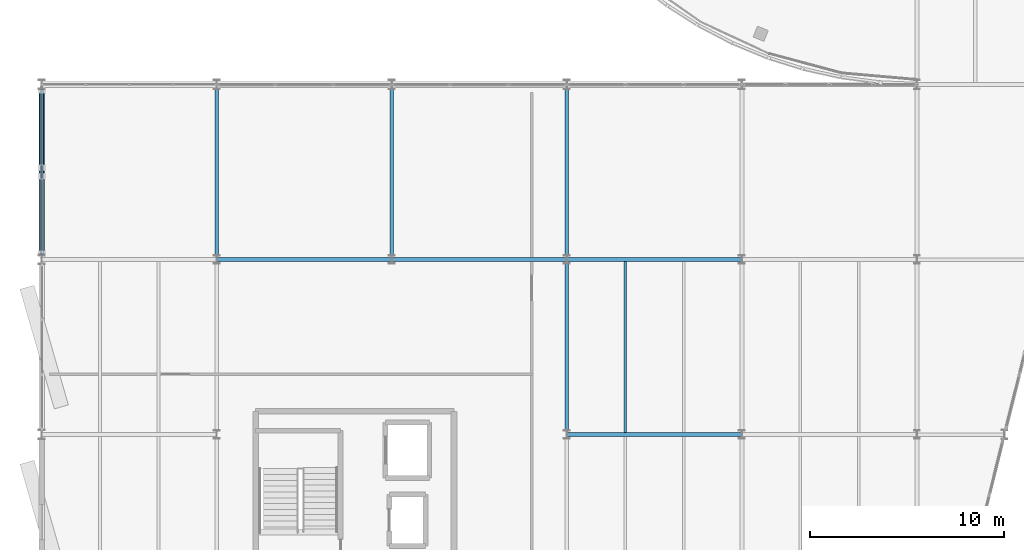
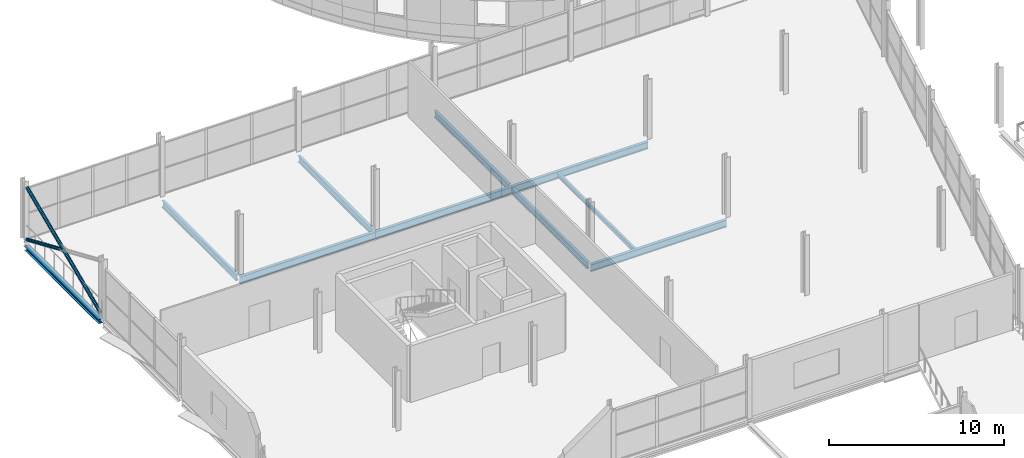
# One storey, part 61 of 135: 10 beams, 2 members.
"""IFC4 building model written with IfcOpenShell, lengths in metres."""

from ifc_helpers import new_model, si_unit, direction, frame, origin, origin_2d, place, context, subcontext, project, spatial, hollow_circle, i_section, extrude, material, material_profile, profile_set, type_object, element, save


model = new_model("IFC4")

# Units and contexts
model_context = context("Model", 3, precision=1e-05, world=origin(), true_north=direction((0.0, 1.0)))
body_context = subcontext(model_context, "Body", "Model", "MODEL_VIEW")
ifc_project = project(units=[si_unit("LENGTHUNIT", "METRE"), si_unit("AREAUNIT", "SQUARE_METRE"), si_unit("VOLUMEUNIT", "CUBIC_METRE"), si_unit("PLANEANGLEUNIT", "RADIAN"), si_unit("MASSUNIT", "GRAM", prefix="KILO")], contexts=[model_context])

# Site, building, storey
site_placement = place(None, origin())
site = spatial("IfcSite", under=ifc_project, at=site_placement, CompositionType="ELEMENT")
building_placement = place(site_placement, origin())
building = spatial("IfcBuilding", under=site, at=building_placement, Name="Deido Ridge Mobility Hub", CompositionType="ELEMENT")
storey_placement = place(building_placement, frame((0.0, 0.0, 4.199951171875)))
storey = spatial("IfcBuildingStorey", under=building, at=storey_placement, Name="L01", CompositionType="ELEMENT", Elevation=4.199951171875)

# Beams
ifc_material_1 = material(Name="Steel S355J2 EN 10025-2", Category="steel")
ifc_material_profile_1 = material_profile(ifc_material_1, i_section(OverallWidth=0.18994140625, OverallDepth=0.449951171875, WebThickness=0.009521484375, FlangeThickness=0.0146484375, FilletRadius=0.02099609375, at=origin_2d()), Name="IPE 450")
ifc_profile_set_1 = profile_set([ifc_material_profile_1], Name="Steel S355J2 EN 10025-2")
beam_type_1 = type_object("IfcBeamType", Name="BM-IPE450", PredefinedType="BEAM", material=ifc_profile_set_1)
for number, where, z_axis, x_axis, name in (
    (1, (9.0, 72.22509765625, -0.474853515625), (0.0, 1.0, 0.0), (-1.0, 0.0, 0.0), "Floor beam B4"),
    (2, (18.0, 72.22509765625, -0.474853515625), (0.0, 1.0, 0.0), (-1.0, 0.0, 0.0), "Floor beam B4"),
):
    element("IfcBeam", number, at=place(storey_placement, frame(where, z_axis=z_axis, x_axis=x_axis)), inside=storey, type_object=beam_type_1, Name=name, PredefinedType="BEAM", context=body_context, shape_type="SweptSolid", body=[
        extrude(i_section(OverallWidth=0.18994140625, OverallDepth=0.449951171875, WebThickness=0.009521484375, FlangeThickness=0.0146484375, FilletRadius=0.02099609375, at=origin_2d()), origin(), (0.0, 0.0, 1.0), 8.52490234375),
    ])
beam_1_placement = place(storey_placement, frame((27.0, 63.22509765625, -0.474853515625), z_axis=(0.0, 1.0, 0.0), x_axis=(-1.0, 0.0, 0.0)))
element("IfcBeam", 3, at=beam_1_placement, inside=storey, type_object=beam_type_1, Name="Floor beam B4", PredefinedType="BEAM", context=body_context, shape_type="SweptSolid", body=[
    extrude(i_section(OverallWidth=0.18994140625, OverallDepth=0.449951171875, WebThickness=0.009521484375, FlangeThickness=0.0146484375, FilletRadius=0.02099609375, at=origin_2d()), origin(), (0.0, 0.0, 1.0), 8.5498046875),
])
beam_2_placement = place(storey_placement, frame((27.0, 72.22509765625, -0.474853515625), z_axis=(0.0, 1.0, 0.0), x_axis=(-1.0, 0.0, 0.0)))
element("IfcBeam", 4, at=beam_2_placement, inside=storey, type_object=beam_type_1, Name="Floor beam B4", PredefinedType="BEAM", context=body_context, shape_type="SweptSolid", body=[
    extrude(i_section(OverallWidth=0.18994140625, OverallDepth=0.449951171875, WebThickness=0.009521484375, FlangeThickness=0.0146484375, FilletRadius=0.02099609375, at=origin_2d()), origin(), (0.0, 0.0, 1.0), 8.52490234375),
])
ifc_material_profile_2 = material_profile(ifc_material_1, i_section(OverallWidth=0.199951171875, OverallDepth=0.5, WebThickness=0.01025390625, FlangeThickness=0.01611328125, FilletRadius=0.02099609375, at=origin_2d()), Name="IPE 500")
ifc_profile_set_2 = profile_set([ifc_material_profile_2], Name="Steel S355J2 EN 10025-2")
beam_type_2 = type_object("IfcBeamType", Name="BM-IPE500", PredefinedType="BEAM", material=ifc_profile_set_2)
for number, where, z_axis, x_axis, name in (
    (5, (27.007080078125, 63.0, -0.5), (1.0, 0.0, 0.0), (0.0, 1.0, 0.0), "Floor beam B3"),
    (6, (9.007080078125, 72.0, -0.5), (1.0, 0.0, 0.0), (0.0, 1.0, 0.0), "Floor beam B3"),
    (7, (18.007080078125, 72.0, -0.5), (1.0, 0.0, 0.0), (0.0, 1.0, 0.0), "Floor beam B3"),
    (8, (27.007080078125, 72.0, -0.5), (1.0, 0.0, 0.0), (0.0, 1.0, 0.0), "Floor beam B3"),
):
    element("IfcBeam", number, at=place(storey_placement, frame(where, z_axis=z_axis, x_axis=x_axis)), inside=storey, type_object=beam_type_2, Name=name, PredefinedType="BEAM", context=body_context, shape_type="SweptSolid", body=[
        extrude(i_section(OverallWidth=0.199951171875, OverallDepth=0.5, WebThickness=0.01025390625, FlangeThickness=0.01611328125, FilletRadius=0.02099609375, at=origin_2d()), origin(), (0.0, 0.0, 1.0), 8.98583984375),
    ])
ifc_material_profile_3 = material_profile(ifc_material_1, i_section(OverallWidth=0.14990234375, OverallDepth=0.300048828125, WebThickness=0.007080078125, FlangeThickness=0.0107421875, FilletRadius=0.014892578125, at=origin_2d()), Name="IPE 300")
ifc_profile_set_3 = profile_set([ifc_material_profile_3], Name="Steel S355J2 EN 10025-2")
beam_type_3 = type_object("IfcBeamType", Name="JST-IPE300", PredefinedType="JOIST", material=ifc_profile_set_3)
beam_3_placement = place(storey_placement, frame((30.0, 63.10009765625, -0.39990234375), z_axis=(0.0, 1.0, 0.0), x_axis=(-1.0, 0.0, 0.0)))
element("IfcBeam", 9, at=beam_3_placement, inside=storey, type_object=beam_type_3, Name="Composite joist J3", PredefinedType="JOIST", context=body_context, shape_type="SweptSolid", body=[
    extrude(i_section(OverallWidth=0.14990234375, OverallDepth=0.300048828125, WebThickness=0.007080078125, FlangeThickness=0.0107421875, FilletRadius=0.014892578125, at=origin_2d()), origin(), (0.0, 0.0, 1.0), 8.7998046875),
])

# Members
ifc_material_2 = material(Name="Steel S355J2H EN 10210-1", Category="steel")
ifc_material_profile_4 = material_profile(ifc_material_2, hollow_circle(Radius=0.109619140625, WallThickness=0.010009765625, at=origin_2d()), Name="CHS 219.1x10")
ifc_profile_set_4 = profile_set([ifc_material_profile_4], Name="Steel S355J2H EN 10210-1")
member_type = type_object("IfcMemberType", Name="MEM-BRC-CHS219", PredefinedType="BRACE", material=ifc_profile_set_4)
member_1_placement = place(storey_placement, frame((0.0, 72.300048828125, 0.179931640625), z_axis=(0.0, 0.91754849034, 0.397623902545), x_axis=(-1.0, 0.0, 0.0)))
element("IfcMember", 10, at=member_1_placement, inside=storey, type_object=member_type, Name="Continuous X-brace diagonal BR2", PredefinedType="BRACE", context=body_context, shape_type="SweptSolid", body=[
    extrude(hollow_circle(Radius=0.109619140625, WallThickness=0.010009765625, at=origin_2d()), origin(), (0.0, 0.0, 1.0), 9.15478515625),
])
member_2_placement = place(storey_placement, frame((0.0, 80.699951171875, 0.179931640625), z_axis=(0.0, -0.917550833654, 0.397618495119), x_axis=(1.0, 0.0, 0.0)))
element("IfcMember", 11, at=member_2_placement, inside=storey, type_object=member_type, Name="Split X-brace diagonal segment BR2", PredefinedType="BRACE", context=body_context, shape_type="SweptSolid", body=[
    extrude(hollow_circle(Radius=0.109619140625, WallThickness=0.010009765625, at=origin_2d()), origin(), (0.0, 0.0, 1.0), 4.33740234375),
])

# Beam
ifc_material_profile_5 = material_profile(ifc_material_1, i_section(OverallWidth=0.300048828125, OverallDepth=0.300048828125, WebThickness=0.010986328125, FlangeThickness=0.01904296875, FilletRadius=0.027099609375, at=origin_2d()), Name="HEB 300")
ifc_profile_set_5 = profile_set([ifc_material_profile_5], Name="Steel S355J2 EN 10025-2")
beam_type_4 = type_object("IfcBeamType", Name="SPD-HEB300", PredefinedType="SPANDREL", material=ifc_profile_set_5)
beam_4_placement = place(storey_placement, frame((0.0, 72.25, -0.39990234375), z_axis=(0.0, 1.0, 0.0), x_axis=(-1.0, 0.0, 0.0)))
element("IfcBeam", 12, at=beam_4_placement, inside=storey, type_object=beam_type_4, Name="Floor beam SP1", PredefinedType="SPANDREL", context=body_context, shape_type="SweptSolid", body=[
    extrude(i_section(OverallWidth=0.300048828125, OverallDepth=0.300048828125, WebThickness=0.010986328125, FlangeThickness=0.01904296875, FilletRadius=0.027099609375, at=origin_2d()), origin(), (0.0, 0.0, 1.0), 8.5),
])

save(model, "model.ifc")
